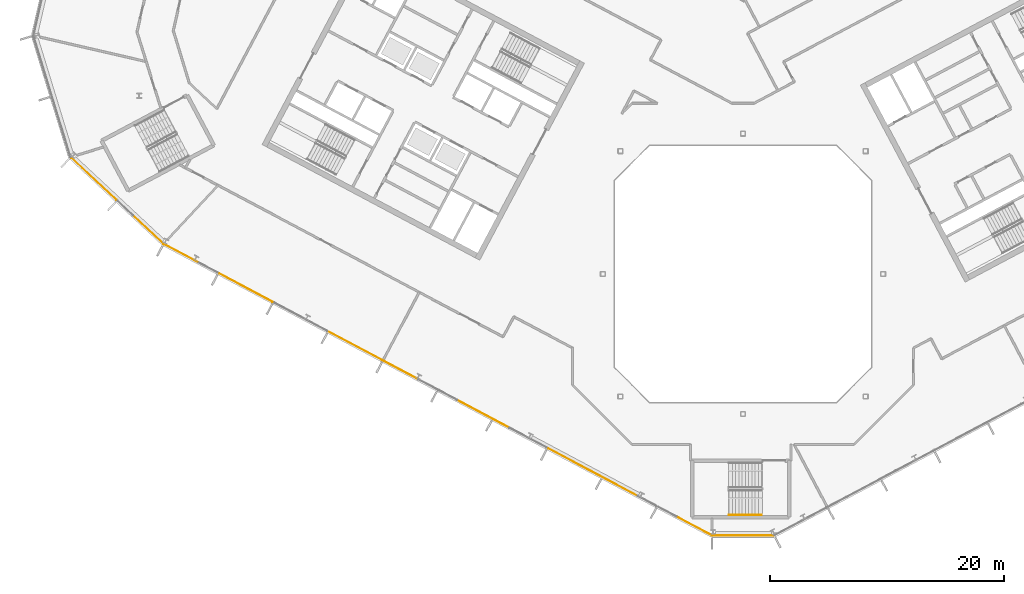
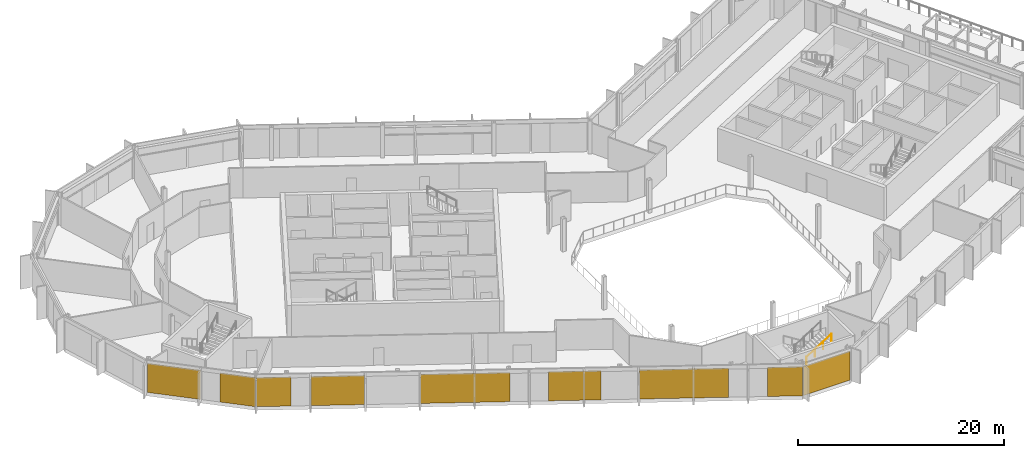
# One storey, part 21 of 30: 9 coverings, 1 railing, 3 elements without a shape of their own.
"""IFC4 building model written with IfcOpenShell, lengths in metres."""

from ifc_helpers import new_model, si_unit, direction, frame, origin, origin_2d, place, context, subcontext, project, spatial, polyline, rectangle, outline, extrude, material, layer, layer_set, type_object, element, aggregate, save


model = new_model("IFC4")

# Units and contexts
model_context = context("Model", 3, precision=1e-05, world=origin(), true_north=direction((0.0, 1.0)))
body_context = subcontext(model_context, "Body", "Model", "MODEL_VIEW")
ifc_project = project(units=[si_unit("LENGTHUNIT", "METRE"), si_unit("AREAUNIT", "SQUARE_METRE"), si_unit("VOLUMEUNIT", "CUBIC_METRE"), si_unit("PLANEANGLEUNIT", "RADIAN"), si_unit("MASSUNIT", "GRAM", prefix="KILO")], contexts=[model_context])

# Site, building, storey
site_placement = place(None, origin())
site = spatial("IfcSite", under=ifc_project, at=site_placement, CompositionType="ELEMENT")
building_placement = place(site_placement, origin())
building = spatial("IfcBuilding", under=site, at=building_placement, Name="Cormorant Relay Tower", CompositionType="ELEMENT")
storey_placement = place(building_placement, frame((0.0, 0.0, 258.0)))
storey = spatial("IfcBuildingStorey", under=building, at=storey_placement, Name="L57", CompositionType="ELEMENT", Elevation=258.0)

# Curtain wall, covering
ifc_material_1 = material(Name="Aluminium 6063-T6 anodised bronze", Category="aluminium")
ifc_layer_1 = layer(ifc_material_1, 0.199951171875)
ifc_layer_set_1 = layer_set([ifc_layer_1], Name="CW1 unitised bronze curtain wall with vertical fins")
curtain_wall_type = type_object("IfcCurtainWallType", Name="CW1 unitised bronze curtain wall with vertical fins", PredefinedType="NOTDEFINED", material=ifc_layer_set_1)
curtain_wall_1_placement = place(storey_placement, origin())
curtain_wall_1 = element("IfcCurtainWall", 1, at=curtain_wall_1_placement, inside=storey, type_object=curtain_wall_type, Name="CW1 curtain wall 1", PredefinedType="NOTDEFINED")
ifc_material_2 = material(Name="Pale bronze anodised aluminium insulated panel", Category="aluminium")
ifc_layer_2 = layer(ifc_material_2, 0.0400390625)
ifc_layer_set_2 = layer_set([ifc_layer_2], Name="CW1 pale bronze insulated panel 40")
covering_type = type_object("IfcCoveringType", Name="CW1 pale bronze insulated panel 40", PredefinedType="CLADDING", material=ifc_layer_set_2)
covering_1_placement = place(storey_placement, frame((0.03759765625, -22.3955078125, 0.0), z_axis=(0.0, 0.0, 1.0), x_axis=(1.0, 0.0, 0.0)))
covering_1 = element("IfcCovering", 2, at=covering_1_placement, type_object=covering_type, Name="CW1 panel S00", PredefinedType="CLADDING", context=body_context, shape_type="SweptSolid", body=[
    extrude(rectangle(XDim=5.22265625, YDim=0.0400390625, at=origin_2d()), origin(), (0.0, 0.0, 1.0), 3.449951171875),
])
aggregate(curtain_wall_1, [covering_1])

# Curtain wall, coverings
curtain_wall_2_placement = place(storey_placement, origin())
curtain_wall_2 = element("IfcCurtainWall", 3, at=curtain_wall_2_placement, inside=storey, type_object=curtain_wall_type, Name="CW1 curtain wall 15", PredefinedType="NOTDEFINED")
covering_2_placement = place(storey_placement, frame((-55.56787109375, 8.1298828125, 0.0), z_axis=(0.0, 0.0, 1.0), x_axis=(0.731353701619, -0.681998360062, 0.0)))
covering_2 = element("IfcCovering", 4, at=covering_2_placement, type_object=covering_type, Name="CW1 panel S00", PredefinedType="CLADDING", context=body_context, shape_type="SweptSolid", body=[
    extrude(rectangle(XDim=5.28515625, YDim=0.0400390625, at=origin_2d()), origin(), (0.0, 0.0, 1.0), 3.449951171875),
])
covering_3_placement = place(storey_placement, frame((-50.906982421875, 3.78369140625, 0.0), z_axis=(0.0, 0.0, 1.0), x_axis=(0.731353701619, -0.681998360062, 0.0)))
covering_3 = element("IfcCovering", 5, at=covering_3_placement, type_object=covering_type, Name="CW1 panel S02", PredefinedType="CLADDING", context=body_context, shape_type="SweptSolid", body=[
    extrude(rectangle(XDim=3.560302734375, YDim=0.0400390625, at=origin_2d()), origin(), (0.0, 0.0, 1.0), 3.449951171875),
])
aggregate(curtain_wall_2, [covering_2, covering_3])

curtain_wall_3_placement = place(storey_placement, origin())
curtain_wall_3 = element("IfcCurtainWall", 6, at=curtain_wall_3_placement, inside=storey, type_object=curtain_wall_type, Name="CW1 curtain wall 16", PredefinedType="NOTDEFINED")
covering_4_placement = place(storey_placement, frame((-48.048583984375, 1.7412109375, 0.0), z_axis=(0.0, 0.0, 1.0), x_axis=(0.882947592859, -0.469471562786, 0.0)))
covering_4 = element("IfcCovering", 7, at=covering_4_placement, type_object=covering_type, Name="CW1 panel S00", PredefinedType="CLADDING", context=body_context, shape_type="SweptSolid", body=[
    extrude(rectangle(XDim=3.36669921875, YDim=0.0400390625, at=origin_2d()), origin(), (0.0, 0.0, 1.0), 3.449951171875),
])
covering_5_placement = place(storey_placement, frame((-42.5595703125, -1.17724609375, 0.0), z_axis=(0.0, 0.0, 1.0), x_axis=(0.882947592859, -0.469471562786, 0.0)))
covering_5 = element("IfcCovering", 8, at=covering_5_placement, type_object=covering_type, Name="CW1 panel S02", PredefinedType="CLADDING", context=body_context, shape_type="SweptSolid", body=[
    extrude(rectangle(XDim=5.16650390625, YDim=0.0400390625, at=origin_2d()), origin(), (0.0, 0.0, 1.0), 3.449951171875),
])
covering_6_placement = place(storey_placement, frame((-31.618408203125, -6.994873046875, 0.0), z_axis=(0.0, 0.0, 1.0), x_axis=(0.882947592859, -0.469471562786, 0.0)))
covering_6 = element("IfcCovering", 9, at=covering_6_placement, type_object=covering_type, Name="CW1 panel S04", PredefinedType="CLADDING", context=body_context, shape_type="SweptSolid", body=[
    extrude(rectangle(XDim=8.68310546875, YDim=0.0400390625, at=origin_2d()), origin(), (0.0, 0.0, 1.0), 3.449951171875),
])
covering_7_placement = place(storey_placement, frame((-22.22998046875, -11.98681640625, 0.0), z_axis=(0.0, 0.0, 1.0), x_axis=(0.882947592859, -0.469471562786, 0.0)))
covering_7 = element("IfcCovering", 10, at=covering_7_placement, type_object=covering_type, Name="CW1 panel S07", PredefinedType="CLADDING", context=body_context, shape_type="SweptSolid", body=[
    extrude(rectangle(XDim=5.083251953125, YDim=0.0400390625, at=origin_2d()), origin(), (0.0, 0.0, 1.0), 3.449951171875),
])
covering_8_placement = place(storey_placement, frame((-12.84130859375, -16.978759765625, 0.0), z_axis=(0.0, 0.0, 1.0), x_axis=(0.882947592859, -0.469471562786, 0.0)))
covering_8 = element("IfcCovering", 11, at=covering_8_placement, type_object=covering_type, Name="CW1 panel S09", PredefinedType="CLADDING", context=body_context, shape_type="SweptSolid", body=[
    extrude(rectangle(XDim=8.68310546875, YDim=0.0400390625, at=origin_2d()), origin(), (0.0, 0.0, 1.0), 3.449951171875),
])
covering_9_placement = place(storey_placement, frame((-4.177490234375, -21.58544921875, 0.0), z_axis=(0.0, 0.0, 1.0), x_axis=(0.882947592859, -0.469471562786, 0.0)))
covering_9 = element("IfcCovering", 12, at=covering_9_placement, type_object=covering_type, Name="CW1 panel S12", PredefinedType="CLADDING", context=body_context, shape_type="SweptSolid", body=[
    extrude(rectangle(XDim=3.441650390625, YDim=0.0400390625, at=origin_2d()), origin(), (0.0, 0.0, 1.0), 3.449951171875),
])
aggregate(curtain_wall_3, [covering_4, covering_5, covering_6, covering_7, covering_8, covering_9])

# Railing
ifc_material_3 = material(Name="Steel ASTM A572 Grade 50 (Fy 345 MPa)", Category="steel")
railing_type = type_object("IfcRailingType", Name="Stair handrail 900", PredefinedType="HANDRAIL", material=ifc_material_3)
railing_placement = place(storey_placement, frame((-1.199951171875, -20.625, 2.127197265625)))
element("IfcRailing", 13, at=railing_placement, inside=storey, type_object=railing_type, Name="L57 RK1 stair handrail 2", PredefinedType="HANDRAIL", context=body_context, shape_type="SweptSolid", body=[
    extrude(outline(polyline([(0.022216796875, 0.00927734375), (0.00927734375, 0.022216796875), (-0.00927734375, 0.022216796875), (-0.022216796875, 0.00927734375), (-0.022216796875, -0.00927734375), (-0.00927734375, -0.022216796875), (0.00927734375, -0.022216796875), (0.022216796875, -0.00927734375), (0.022216796875, 0.00927734375)])), frame((0.0, 0.0, 0.8759765625), z_axis=(0.844908973607, 0.0, 0.534910110503), x_axis=(0.0, 1.0, 0.0)), (0.0, 0.0, 1.0), 3.31396484375),
    extrude(outline(polyline([(0.019287109375, 0.008056640625), (0.008056640625, 0.019287109375), (-0.008056640625, 0.019287109375), (-0.019287109375, 0.008056640625), (-0.019287109375, -0.008056640625), (-0.008056640625, -0.019287109375), (0.008056640625, -0.019287109375), (0.019287109375, -0.008056640625), (0.019287109375, 0.008056640625)])), origin(), (0.0, 0.0, 1.0), 0.851806640625),
    extrude(outline(polyline([(0.019287109375, 0.008056640625), (0.008056640625, 0.019287109375), (-0.008056640625, 0.019287109375), (-0.019287109375, 0.008056640625), (-0.019287109375, -0.008056640625), (-0.008056640625, -0.019287109375), (0.008056640625, -0.019287109375), (0.019287109375, -0.008056640625), (0.019287109375, 0.008056640625)])), frame((0.933349609375, 0.0, 0.5908203125)), (0.0, 0.0, 1.0), 0.851806640625),
    extrude(outline(polyline([(0.019287109375, 0.008056640625), (0.008056640625, 0.019287109375), (-0.008056640625, 0.019287109375), (-0.019287109375, 0.008056640625), (-0.019287109375, -0.008056640625), (-0.008056640625, -0.019287109375), (0.008056640625, -0.019287109375), (0.019287109375, -0.008056640625), (0.019287109375, 0.008056640625)])), frame((1.86669921875, 0.0, 1.181884765625)), (0.0, 0.0, 1.0), 0.851806640625),
    extrude(outline(polyline([(0.019287109375, 0.008056640625), (0.008056640625, 0.019287109375), (-0.008056640625, 0.019287109375), (-0.019287109375, 0.008056640625), (-0.019287109375, -0.008056640625), (-0.008056640625, -0.019287109375), (0.008056640625, -0.019287109375), (0.019287109375, -0.008056640625), (0.019287109375, 0.008056640625)])), frame((2.800048828125, 0.0, 1.772705078125)), (0.0, 0.0, 1.0), 0.851806640625),
])

save(model, "model.ifc")
